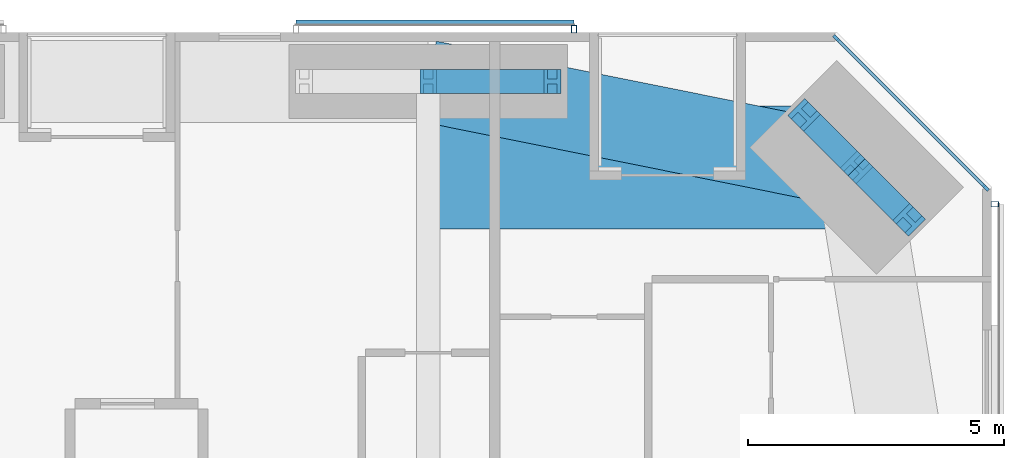
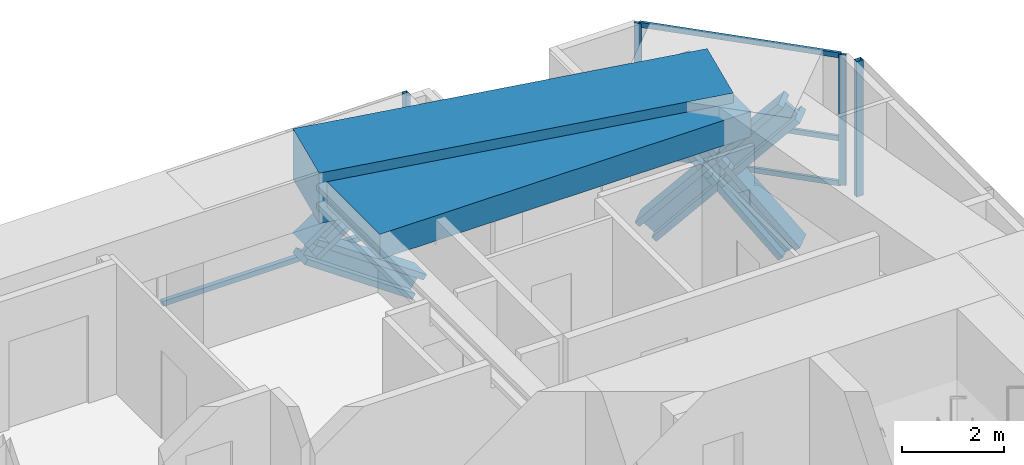
# One storey, part 15 of 24: 14 members, 2 beams, 3 elements without a shape of their own.
"""IFC4 building model written with IfcOpenShell, lengths in metres."""

from ifc_helpers import new_model, si_unit, direction, frame, origin, origin_2d, place, context, subcontext, project, spatial, rectangle, hollow_rectangle, i_section, extrude, material, material_profile, profile_set, type_object, element, aggregate, save


model = new_model("IFC4")

# Units and contexts
model_context = context("Model", 3, precision=1e-05, world=origin(), true_north=direction((0.0, 1.0)))
body_context = subcontext(model_context, "Body", "Model", "MODEL_VIEW")
ifc_project = project(units=[si_unit("LENGTHUNIT", "METRE"), si_unit("AREAUNIT", "SQUARE_METRE"), si_unit("VOLUMEUNIT", "CUBIC_METRE"), si_unit("PLANEANGLEUNIT", "RADIAN"), si_unit("MASSUNIT", "GRAM", prefix="KILO")], contexts=[model_context])

# Site, building, storey
site_placement = place(None, origin())
site = spatial("IfcSite", under=ifc_project, at=site_placement, CompositionType="ELEMENT")
building_placement = place(site_placement, origin())
building = spatial("IfcBuilding", under=site, at=building_placement, Name="Jalousie Tower", CompositionType="ELEMENT")
storey_placement = place(building_placement, frame((0.0, 0.0, 44.449951171875)))
storey = spatial("IfcBuildingStorey", under=building, at=storey_placement, Name="L11", CompositionType="ELEMENT", Elevation=44.449951171875)

# Curtain wall, members
ifc_material_1 = material(Name="Aluminium curtain wall", Category="aluminium")
curtain_wall_type_1 = type_object("IfcCurtainWallType", Name="CORNER WINDOW WALL", PredefinedType="USERDEFINED", material=ifc_material_1)
curtain_wall_1_placement = place(storey_placement, origin())
curtain_wall_1 = element("IfcCurtainWall", 1, at=curtain_wall_1_placement, inside=storey, type_object=curtain_wall_type_1, Name="Corner Window Wall L11 4", ObjectType="CORNER WINDOW WALL", PredefinedType="USERDEFINED")
ifc_material_2 = material(Name="Aluminium mullion", Category="aluminium")
ifc_material_profile_1 = material_profile(ifc_material_2, rectangle(XDim=0.06005859375, YDim=0.14990234375, at=origin_2d()), Name="MULLION 60x150")
ifc_profile_set_1 = profile_set([ifc_material_profile_1], Name="Aluminium mullion")
member_type_1 = type_object("IfcMemberType", Name="CORNER WINDOW WALL MULLION", PredefinedType="MULLION", material=ifc_profile_set_1)
member_1_placement = place(storey_placement, frame((45.891357421875, 34.969970703125, 0.0), z_axis=(0.0, 0.0, 1.0), x_axis=(-0.707106781187, -0.707106781187, 0.0)))
member_1 = element("IfcMember", 2, at=member_1_placement, type_object=member_type_1, Name="CW-C mullion 1", PredefinedType="MULLION", context=body_context, shape_type="SweptSolid", body=[
    extrude(rectangle(XDim=0.06005859375, YDim=0.14990234375, at=origin_2d()), origin(), (0.0, 0.0, 1.0), 3.110107421875),
])
member_2_placement = place(storey_placement, frame((42.969970703125, 37.891357421875, 0.0), z_axis=(0.0, 0.0, 1.0), x_axis=(-0.707106781187, -0.707106781187, 0.0)))
member_2 = element("IfcMember", 3, at=member_2_placement, type_object=member_type_1, Name="CW-C mullion 2", PredefinedType="MULLION", context=body_context, shape_type="SweptSolid", body=[
    extrude(rectangle(XDim=0.06005859375, YDim=0.14990234375, at=origin_2d()), origin(), (0.0, 0.0, 1.0), 3.110107421875),
])
ifc_material_3 = material(Name="Aluminium transom", Category="aluminium")
ifc_material_profile_2 = material_profile(ifc_material_3, rectangle(XDim=0.06005859375, YDim=0.1201171875, at=origin_2d()), Name="TRANSOM 60x120")
ifc_profile_set_2 = profile_set([ifc_material_profile_2], Name="Aluminium transom")
member_type_2 = type_object("IfcMemberType", Name="CORNER WINDOW WALL TRANSOM", PredefinedType="USERDEFINED", material=ifc_profile_set_2)
member_3_placement = place(storey_placement, frame((45.8701171875, 34.9912109375, 0.030029296875), z_axis=(-0.707106781187, 0.707106781187, 0.0), x_axis=(-0.707106781187, -0.707106781187, 0.0)))
member_3 = element("IfcMember", 4, at=member_3_placement, type_object=member_type_2, Name="CW-C transom 1.1", ObjectType="TRANSOM", PredefinedType="USERDEFINED", context=body_context, shape_type="SweptSolid", body=[
    extrude(rectangle(XDim=0.06005859375, YDim=0.1201171875, at=origin_2d()), origin(), (0.0, 0.0, 1.0), 4.0712890625),
])
member_4_placement = place(storey_placement, frame((45.8701171875, 34.9912109375, 1.10009765625), z_axis=(-0.707106781187, 0.707106781187, 0.0), x_axis=(-0.707106781187, -0.707106781187, 0.0)))
member_4 = element("IfcMember", 5, at=member_4_placement, type_object=member_type_2, Name="CW-C transom 1.2", ObjectType="TRANSOM", PredefinedType="USERDEFINED", context=body_context, shape_type="SweptSolid", body=[
    extrude(rectangle(XDim=0.06005859375, YDim=0.1201171875, at=origin_2d()), origin(), (0.0, 0.0, 1.0), 4.0712890625),
])
member_5_placement = place(storey_placement, frame((45.8701171875, 34.9912109375, 3.080078125), z_axis=(-0.707106781187, 0.707106781187, 0.0), x_axis=(-0.707106781187, -0.707106781187, 0.0)))
member_5 = element("IfcMember", 6, at=member_5_placement, type_object=member_type_2, Name="CW-C transom 1.3", ObjectType="TRANSOM", PredefinedType="USERDEFINED", context=body_context, shape_type="SweptSolid", body=[
    extrude(rectangle(XDim=0.06005859375, YDim=0.1201171875, at=origin_2d()), origin(), (0.0, 0.0, 1.0), 4.0712890625),
])
aggregate(curtain_wall_1, [member_1, member_2, member_3, member_4, member_5])

# Members
ifc_material_4 = material(Name="Steel ASTM A992 Grade 50", Category="steel")
ifc_material_profile_3 = material_profile(ifc_material_4, i_section(OverallWidth=0.472412109375, OverallDepth=0.5791015625, WebThickness=0.094970703125, FlangeThickness=0.1298828125, at=origin_2d()), Name="W14X808")
ifc_profile_set_3 = profile_set([ifc_material_profile_3], Name="Steel ASTM A992 Grade 50")
member_type_3 = type_object("IfcMemberType", Name="PERIMETER BRACE W14X808", PredefinedType="BRACE", material=ifc_profile_set_3)
for number, where, z_axis, x_axis, name in (
    (7, (44.393798828125, 34.34326171875, -0.599853515625), (-0.462768350628, 0.462878559809, 0.756034981021), (-0.707190965575, -0.707022586774, 0.0), "Perimeter brace 08 L11 part 1"),
    (8, (43.36865234375, 35.36865234375, 1.074951171875), (-0.462839993852, 0.462729793854, 0.756082189957), (-0.707022586774, -0.707190965575, 0.0), "Perimeter brace 08 L11 part 2"),
    (9, (42.34326171875, 36.393798828125, -0.599853515625), (0.462878559809, -0.462768350628, 0.756034981021), (0.707022586774, 0.707190965575, 0.0), "Perimeter brace 08 L11 part 3"),
    (10, (43.36865234375, 35.36865234375, 1.074951171875), (0.462729793854, -0.462839993852, 0.756082189957), (0.707190965575, 0.707022586774, 0.0), "Perimeter brace 08 L11 part 4"),
):
    element("IfcMember", number, at=place(storey_placement, frame(where, z_axis=z_axis, x_axis=x_axis)), inside=storey, type_object=member_type_3, Name=name, PredefinedType="BRACE", context=body_context, shape_type="SweptSolid", body=[
        extrude(i_section(OverallWidth=0.472412109375, OverallDepth=0.5791015625, WebThickness=0.094970703125, FlangeThickness=0.1298828125, at=origin_2d()), origin(), (0.0, 0.0, 1.0), 2.21533203125),
    ])
for number, where, z_axis, x_axis, name in (
    (11, (35.0, 37.050048828125, 1.074951171875), (0.822800062329, 0.0, 0.568330940062), (0.0, 1.0, 0.0), "Perimeter brace 09 L11 part 2"),
    (12, (37.425048828125, 37.050048828125, -0.599853515625), (-0.82283879777, 0.0, 0.568274856811), (0.0, -1.0, 0.0), "Perimeter brace 09 L11 part 3"),
):
    element("IfcMember", number, at=place(storey_placement, frame(where, z_axis=z_axis, x_axis=x_axis)), inside=storey, type_object=member_type_3, Name=name, PredefinedType="BRACE", context=body_context, shape_type="SweptSolid", body=[
        extrude(i_section(OverallWidth=0.472412109375, OverallDepth=0.5791015625, WebThickness=0.094970703125, FlangeThickness=0.1298828125, at=origin_2d()), origin(), (0.0, 0.0, 1.0), 2.947265625),
    ])

# Beams
ifc_material_5 = material(Name="Concrete f'c 40 MPa", Category="concrete")
ifc_material_profile_4 = material_profile(ifc_material_5, rectangle(XDim=1.60009765625, YDim=1.199951171875, at=origin_2d()), Name="RC 1600x1200")
ifc_profile_set_4 = profile_set([ifc_material_profile_4], Name="Concrete f'c 40 MPa")
beam_type_1 = type_object("IfcBeamType", Name="RC BEAM 1600x1200", PredefinedType="BEAM", material=ifc_profile_set_4)
beam_1_placement = place(storey_placement, frame((43.36865234375, 35.36865234375, 2.75), z_axis=(-0.980407585444, 0.196979609107, 0.0), x_axis=(-0.196979609107, -0.980407585444, 0.0)))
element("IfcBeam", 13, at=beam_1_placement, inside=storey, type_object=beam_type_1, Name="Edge band beam 08-09 under L12", PredefinedType="BEAM", context=body_context, shape_type="SweptSolid", body=[
    extrude(rectangle(XDim=1.60009765625, YDim=1.199951171875, at=origin_2d()), origin(), (0.0, 0.0, 1.0), 8.535888671875),
])
ifc_material_6 = material(Name="Concrete f'c 40 MPa", Category="concrete")
ifc_material_profile_5 = material_profile(ifc_material_6, rectangle(XDim=2.39990234375, YDim=0.60009765625, at=origin_2d()), Name="RC 2400x600")
ifc_profile_set_5 = profile_set([ifc_material_profile_5], Name="Concrete f'c 40 MPa")
beam_type_2 = type_object("IfcBeamType", Name="RC BEAM 2400x600", PredefinedType="BEAM", material=ifc_profile_set_5)
beam_2_placement = place(storey_placement, frame((43.36865234375, 35.36865234375, 2.81005859375), z_axis=(-1.0, 0.0, 0.0), x_axis=(0.0, -1.0, 0.0)))
element("IfcBeam", 14, at=beam_2_placement, inside=storey, type_object=beam_type_2, Name="Floor band beam under L12", PredefinedType="BEAM", context=body_context, shape_type="SweptSolid", body=[
    extrude(rectangle(XDim=2.39990234375, YDim=0.60009765625, at=origin_2d()), origin(), (0.0, 0.0, 1.0), 8.36865234375),
])

# Curtain wall, member
ifc_material_7 = material(Name="Perforated aluminium sheet", Category="aluminium")
curtain_wall_type_2 = type_object("IfcCurtainWallType", Name="SOLAR SCREEN SS-1", PredefinedType="USERDEFINED", material=ifc_material_7)
curtain_wall_2_placement = place(storey_placement, origin())
curtain_wall_2 = element("IfcCurtainWall", 15, at=curtain_wall_2_placement, inside=storey, type_object=curtain_wall_type_2, Name="Solar screen L11", ObjectType="SOLAR SCREEN SS-1", PredefinedType="USERDEFINED")
ifc_material_8 = material(Name="Steel ASTM A500 Grade C", Category="steel")
ifc_material_profile_6 = material_profile(ifc_material_8, hollow_rectangle(XDim=0.1015625, YDim=0.15234375, WallThickness=0.00634765625, at=origin_2d()), Name="HSS6X4X1/4")
ifc_profile_set_6 = profile_set([ifc_material_profile_6], Name="Steel ASTM A500 Grade C")
member_type_4 = type_object("IfcMemberType", Name="SOLAR SCREEN SS-1 MULLION", PredefinedType="MULLION", material=ifc_profile_set_6)
member_6_placement = place(storey_placement, frame((46.0712890625, 34.648681640625, -0.119873046875), z_axis=(0.0, 0.0, 1.0), x_axis=(0.0, 1.0, 0.0)))
member_6 = element("IfcMember", 16, at=member_6_placement, type_object=member_type_4, Name="SS1 post 4", PredefinedType="MULLION", context=body_context, shape_type="SweptSolid", body=[
    extrude(hollow_rectangle(XDim=0.1015625, YDim=0.15234375, WallThickness=0.00634765625, at=origin_2d()), origin(), (0.0, 0.0, 1.0), 3.22998046875),
])
aggregate(curtain_wall_2, [member_6])

# Curtain wall, members
curtain_wall_3_placement = place(storey_placement, origin())
curtain_wall_3 = element("IfcCurtainWall", 17, at=curtain_wall_3_placement, inside=storey, type_object=curtain_wall_type_2, Name="Solar screen L11", ObjectType="SOLAR SCREEN SS-1", PredefinedType="USERDEFINED")
member_7_placement = place(storey_placement, frame((37.8486328125, 38.0712890625, -0.119873046875), z_axis=(0.0, 0.0, 1.0), x_axis=(-1.0, 0.0, 0.0)))
member_7 = element("IfcMember", 18, at=member_7_placement, type_object=member_type_4, Name="SS1 post 1", PredefinedType="MULLION", context=body_context, shape_type="SweptSolid", body=[
    extrude(hollow_rectangle(XDim=0.1015625, YDim=0.15234375, WallThickness=0.00634765625, at=origin_2d()), origin(), (0.0, 0.0, 1.0), 3.22998046875),
])
ifc_material_9 = material(Name="Extruded aluminium screen rail", Category="aluminium")
ifc_material_profile_7 = material_profile(ifc_material_9, rectangle(XDim=0.1015625, YDim=0.1201171875, at=origin_2d()), Name="RAIL 102x120")
ifc_profile_set_7 = profile_set([ifc_material_profile_7], Name="Extruded aluminium screen rail")
member_type_5 = type_object("IfcMemberType", Name="SOLAR SCREEN SS-1 TRANSOM", PredefinedType="USERDEFINED", material=ifc_profile_set_7)
member_8_placement = place(storey_placement, frame((37.8486328125, 38.1982421875, -0.06005859375), z_axis=(-1.0, 0.0, 0.0), x_axis=(0.0, -1.0, 0.0)))
member_8 = element("IfcMember", 19, at=member_8_placement, type_object=member_type_5, Name="SS1 rail", ObjectType="TRANSOM", PredefinedType="USERDEFINED", context=body_context, shape_type="SweptSolid", body=[
    extrude(rectangle(XDim=0.1015625, YDim=0.1201171875, at=origin_2d()), origin(), (0.0, 0.0, 1.0), 5.43359375),
])
aggregate(curtain_wall_3, [member_7, member_8])

save(model, "model.ifc")
